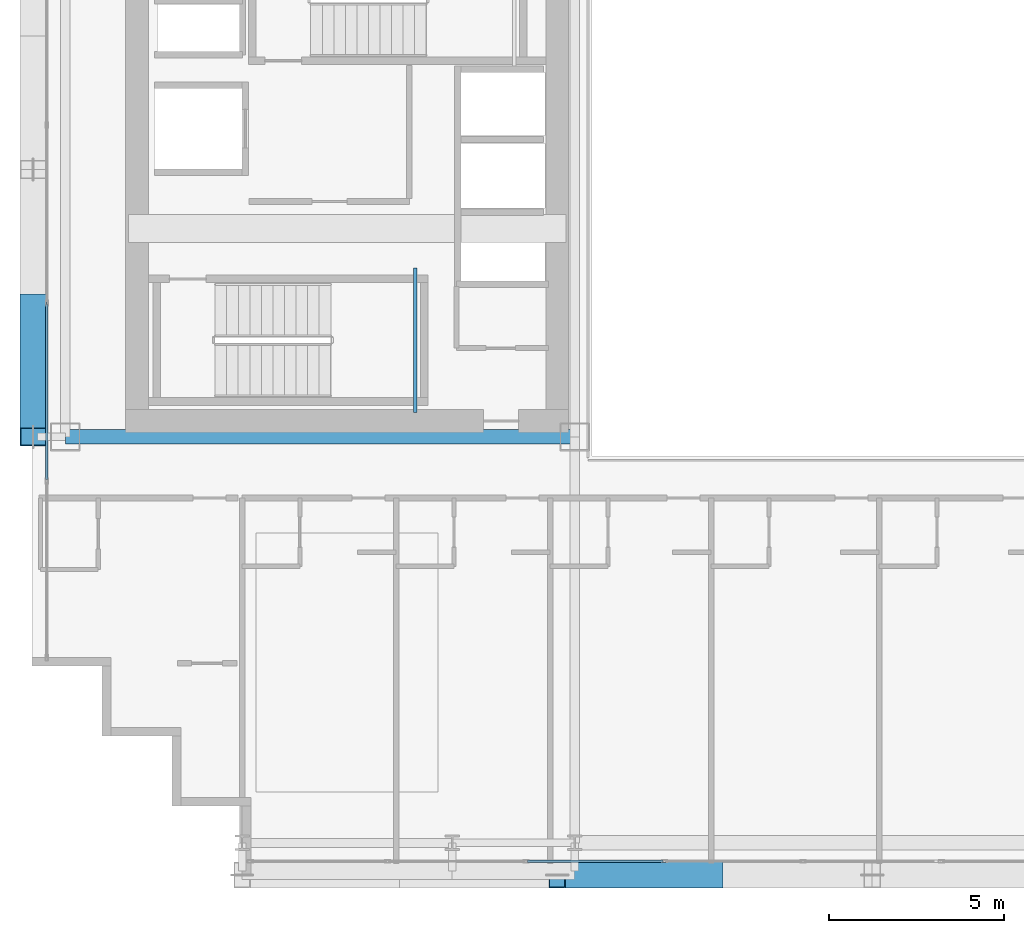
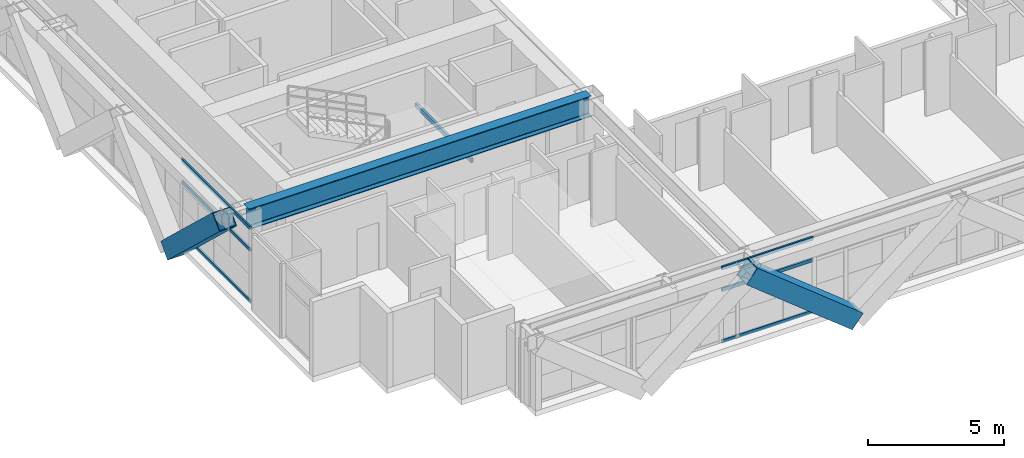
# One storey, part 4 of 35: 8 members, 2 beams, 2 elements without a shape of their own.
"""IFC4 building model written with IfcOpenShell, lengths in metres."""

from ifc_helpers import new_model, si_unit, direction, frame, origin, origin_2d, place, context, subcontext, project, spatial, hollow_rectangle, i_section, extrude, source, transform, mapped, material, layer, layer_set, material_profile, profile_set, type_object, element, aggregate, save


model = new_model("IFC4")

# Units and contexts
model_context = context("Model", 3, precision=1e-05, world=origin(), true_north=direction((0.0, 1.0)))
body_context = subcontext(model_context, "Body", "Model", "MODEL_VIEW")
ifc_project = project(units=[si_unit("LENGTHUNIT", "METRE"), si_unit("AREAUNIT", "SQUARE_METRE"), si_unit("VOLUMEUNIT", "CUBIC_METRE"), si_unit("PLANEANGLEUNIT", "RADIAN"), si_unit("MASSUNIT", "GRAM", prefix="KILO")], contexts=[model_context])

# Site, building, storey
site_placement = place(None, origin())
site = spatial("IfcSite", under=ifc_project, at=site_placement, CompositionType="ELEMENT")
building_placement = place(site_placement, origin())
building = spatial("IfcBuilding", under=site, at=building_placement, Name="Ocotamira Hotel", CompositionType="ELEMENT")
storey_placement = place(building_placement, frame((0.0, 0.0, 100.800048828125)))
storey = spatial("IfcBuildingStorey", under=building, at=storey_placement, Name="L24", CompositionType="ELEMENT", Elevation=100.800048828125)

# Beams
ifc_material_1 = material(Name="Steel ASTM A500 Grade C", Category="steel")
ifc_material_profile_1 = material_profile(ifc_material_1, hollow_rectangle(XDim=0.10009765625, YDim=0.199951171875, WallThickness=0.008056640625, at=origin_2d()), Name="HSS200X100X8")
ifc_profile_set_1 = profile_set([ifc_material_profile_1], Name="Steel ASTM A500 Grade C")
beam_type_1 = type_object("IfcBeamType", Name="BM-STLDG-HSS200", PredefinedType="BEAM", material=ifc_profile_set_1)
shared_shape_1 = source(origin(), body_context, "Body", "SweptSolid", [
    extrude(hollow_rectangle(XDim=0.10009765625, YDim=0.199951171875, WallThickness=0.008056640625, at=origin_2d()), origin(), (0.0, 0.0, 1.0), 4.1201171875),
])
beam_1_placement = place(storey_placement, frame((18.949951171875, 15.25, 1.5), z_axis=(0.0, 1.0, 0.0), x_axis=(-1.0, 0.0, 0.0)))
element("IfcBeam", 1, at=beam_1_placement, inside=storey, type_object=beam_type_1, Name="L24 Stair ST-1 Landing Bearer 1", PredefinedType="BEAM", context=body_context, shape_type="MappedRepresentation", body=[
    mapped(shared_shape_1, transform((0.0, 0.0, 0.0), scale=1.0)),
])
ifc_material_2 = material(Name="Steel ASTM A992 Grade 50", Category="steel")
ifc_material_profile_2 = material_profile(ifc_material_2, i_section(OverallWidth=0.41796875, OverallDepth=0.927001953125, WebThickness=0.019287109375, FlangeThickness=0.031982421875, FilletRadius=0.02392578125, at=origin_2d()), Name="W36X231")
ifc_profile_set_2 = profile_set([ifc_material_profile_2], Name="Steel ASTM A992 Grade 50")
beam_type_2 = type_object("IfcBeamType", Name="BM-GIRD-W36X231", PredefinedType="BEAM", material=ifc_profile_set_2)
shared_shape_2 = source(origin(), body_context, "Body", "SweptSolid", [
    extrude(i_section(OverallWidth=0.41796875, OverallDepth=0.927001953125, WebThickness=0.019287109375, FlangeThickness=0.031982421875, FilletRadius=0.02392578125, at=origin_2d()), origin(), (0.0, 0.0, 1.0), 14.550048828125),
])
beam_2_placement = place(storey_placement, frame((8.949951171875, 14.550048828125, 2.896484375), z_axis=(1.0, 0.0, 0.0), x_axis=(0.0, 1.0, 0.0)))
element("IfcBeam", 2, at=beam_2_placement, inside=storey, type_object=beam_type_2, Name="L24 Girder Y14.55 X8.95-23.5", PredefinedType="BEAM", context=body_context, shape_type="MappedRepresentation", body=[
    mapped(shared_shape_2, transform((0.0, 0.0, 0.0), scale=1.0)),
])

# Members
ifc_material_3 = material(Name="Pale-metal coated steel ASTM A913 Grade 65", Category="steel")
ifc_material_profile_3 = material_profile(ifc_material_3, hollow_rectangle(XDim=0.75, YDim=0.75, WallThickness=0.028076171875, at=origin_2d()), Name="BOX750X750X28")
ifc_profile_set_3 = profile_set([ifc_material_profile_3], Name="Pale-metal coated steel ASTM A913 Grade 65")
member_type_1 = type_object("IfcMemberType", Name="MEM-EXO-BOX750", PredefinedType="BRACE", material=ifc_profile_set_3)
shared_shape_3 = source(origin(), body_context, "Body", "SweptSolid", [
    extrude(hollow_rectangle(XDim=0.75, YDim=0.75, WallThickness=0.028076171875, at=origin_2d()), origin(), (0.0, 0.0, 1.0), 5.24658203125),
])
member_1_placement = place(storey_placement, frame((8.030029296875, 18.36669921875, -0.489990234375), z_axis=(0.0, -0.72746596067, 0.686143772154), x_axis=(1.0, 0.0, 0.0)))
element("IfcMember", 3, at=member_1_placement, inside=storey, type_object=member_type_1, Name="L24 Exoskeleton Diagrid W0.1", PredefinedType="BRACE", context=body_context, shape_type="MappedRepresentation", body=[
    mapped(shared_shape_3, transform((0.0, 0.0, 0.0), scale=1.0)),
])
shared_shape_4 = source(origin(), body_context, "Body", "SweptSolid", [
    extrude(hollow_rectangle(XDim=0.75, YDim=0.75, WallThickness=0.028076171875, at=origin_2d()), origin(), (0.0, 0.0, 1.0), 5.7626953125),
])
member_2_placement = place(storey_placement, frame((27.5, 2.030029296875, -0.489990234375), z_axis=(-0.780881208953, 0.0, 0.624679547852), x_axis=(0.0, -1.0, 0.0)))
element("IfcMember", 4, at=member_2_placement, inside=storey, type_object=member_type_1, Name="L24 Exoskeleton Diagrid S1.1", PredefinedType="BRACE", context=body_context, shape_type="MappedRepresentation", body=[
    mapped(shared_shape_4, transform((0.0, 0.0, 0.0), scale=1.0)),
])

# Curtain wall, members
ifc_material_4 = material(Name="Anodised pale-metal aluminium and solar glass", Category="aluminium")
ifc_layer = layer(ifc_material_4, 0.179931640625)
ifc_layer_set = layer_set([ifc_layer], Name="Anodised pale-metal aluminium and solar glass")
curtain_wall_type = type_object("IfcCurtainWallType", Name="CW-SYS3-Z2", PredefinedType="NOTDEFINED", material=ifc_layer_set)
curtain_wall_1_placement = place(storey_placement, origin())
curtain_wall_1 = element("IfcCurtainWall", 5, at=curtain_wall_1_placement, inside=storey, type_object=curtain_wall_type, Name="L24 Curtain Wall CW-3 CW-L24-S1", PredefinedType="NOTDEFINED")
ifc_material_5 = material(Name="Anodised pale-metal aluminium 6063-T6", Category="aluminium")
ifc_material_profile_4 = material_profile(ifc_material_5, hollow_rectangle(XDim=0.074951171875, YDim=0.14990234375, WallThickness=0.006103515625, at=origin_2d()), Name="HSS150X75X6")
ifc_profile_set_4 = profile_set([ifc_material_profile_4], Name="Anodised pale-metal aluminium 6063-T6")
member_type_2 = type_object("IfcMemberType", Name="CWT-150X75", PredefinedType="USERDEFINED", material=ifc_profile_set_4)
shared_shape_5 = source(origin(), body_context, "Body", "SweptSolid", [
    extrude(hollow_rectangle(XDim=0.074951171875, YDim=0.14990234375, WallThickness=0.006103515625, at=origin_2d()), origin(), (0.0, 0.0, 1.0), 3.87548828125),
])
member_3_placement = place(storey_placement, frame((22.151123046875, 2.419921875, 0.037353515625), z_axis=(1.0, 0.0, 0.0), x_axis=(0.0, 1.0, 0.0)))
member_3 = element("IfcMember", 6, at=member_3_placement, type_object=member_type_2, Name="CW-3 transom 3.1", ObjectType="TRANSOM", PredefinedType="USERDEFINED", context=body_context, shape_type="MappedRepresentation", body=[
    mapped(shared_shape_5, transform((0.0, 0.0, 0.0), scale=1.0)),
])
member_4_placement = place(storey_placement, frame((22.151123046875, 2.419921875, 2.349853515625), z_axis=(1.0, 0.0, 0.0), x_axis=(0.0, 1.0, 0.0)))
member_4 = element("IfcMember", 7, at=member_4_placement, type_object=member_type_2, Name="CW-3 transom 3.2", ObjectType="TRANSOM", PredefinedType="USERDEFINED", context=body_context, shape_type="MappedRepresentation", body=[
    mapped(shared_shape_5, transform((0.0, 0.0, 0.0), scale=1.0)),
])
member_5_placement = place(storey_placement, frame((22.151123046875, 2.419921875, 3.322509765625), z_axis=(1.0, 0.0, 0.0), x_axis=(0.0, 1.0, 0.0)))
member_5 = element("IfcMember", 8, at=member_5_placement, type_object=member_type_2, Name="CW-3 transom 3.3", ObjectType="TRANSOM", PredefinedType="USERDEFINED", context=body_context, shape_type="MappedRepresentation", body=[
    mapped(shared_shape_5, transform((0.0, 0.0, 0.0), scale=1.0)),
])
aggregate(curtain_wall_1, [member_3, member_4, member_5])

curtain_wall_2_placement = place(storey_placement, origin())
curtain_wall_2 = element("IfcCurtainWall", 9, at=curtain_wall_2_placement, inside=storey, type_object=curtain_wall_type, Name="L24 Curtain Wall CW-3 CW-L24-W", PredefinedType="NOTDEFINED")
shared_shape_6 = source(origin(), body_context, "Body", "SweptSolid", [
    extrude(hollow_rectangle(XDim=0.074951171875, YDim=0.14990234375, WallThickness=0.006103515625, at=origin_2d()), origin(), (0.0, 0.0, 1.0), 5.005859375),
])
member_6_placement = place(storey_placement, frame((8.419921875, 13.32568359375, 0.037353515625), z_axis=(0.0, 1.0, 0.0), x_axis=(-1.0, 0.0, 0.0)))
member_6 = element("IfcMember", 10, at=member_6_placement, type_object=member_type_2, Name="CW-3 transom 2.1", ObjectType="TRANSOM", PredefinedType="USERDEFINED", context=body_context, shape_type="MappedRepresentation", body=[
    mapped(shared_shape_6, transform((0.0, 0.0, 0.0), scale=1.0)),
])
member_7_placement = place(storey_placement, frame((8.419921875, 13.32568359375, 2.349853515625), z_axis=(0.0, 1.0, 0.0), x_axis=(-1.0, 0.0, 0.0)))
member_7 = element("IfcMember", 11, at=member_7_placement, type_object=member_type_2, Name="CW-3 transom 2.2", ObjectType="TRANSOM", PredefinedType="USERDEFINED", context=body_context, shape_type="MappedRepresentation", body=[
    mapped(shared_shape_6, transform((0.0, 0.0, 0.0), scale=1.0)),
])
member_8_placement = place(storey_placement, frame((8.419921875, 13.32568359375, 3.322509765625), z_axis=(0.0, 1.0, 0.0), x_axis=(-1.0, 0.0, 0.0)))
member_8 = element("IfcMember", 12, at=member_8_placement, type_object=member_type_2, Name="CW-3 transom 2.3", ObjectType="TRANSOM", PredefinedType="USERDEFINED", context=body_context, shape_type="MappedRepresentation", body=[
    mapped(shared_shape_6, transform((0.0, 0.0, 0.0), scale=1.0)),
])
aggregate(curtain_wall_2, [member_6, member_7, member_8])

save(model, "model.ifc")
